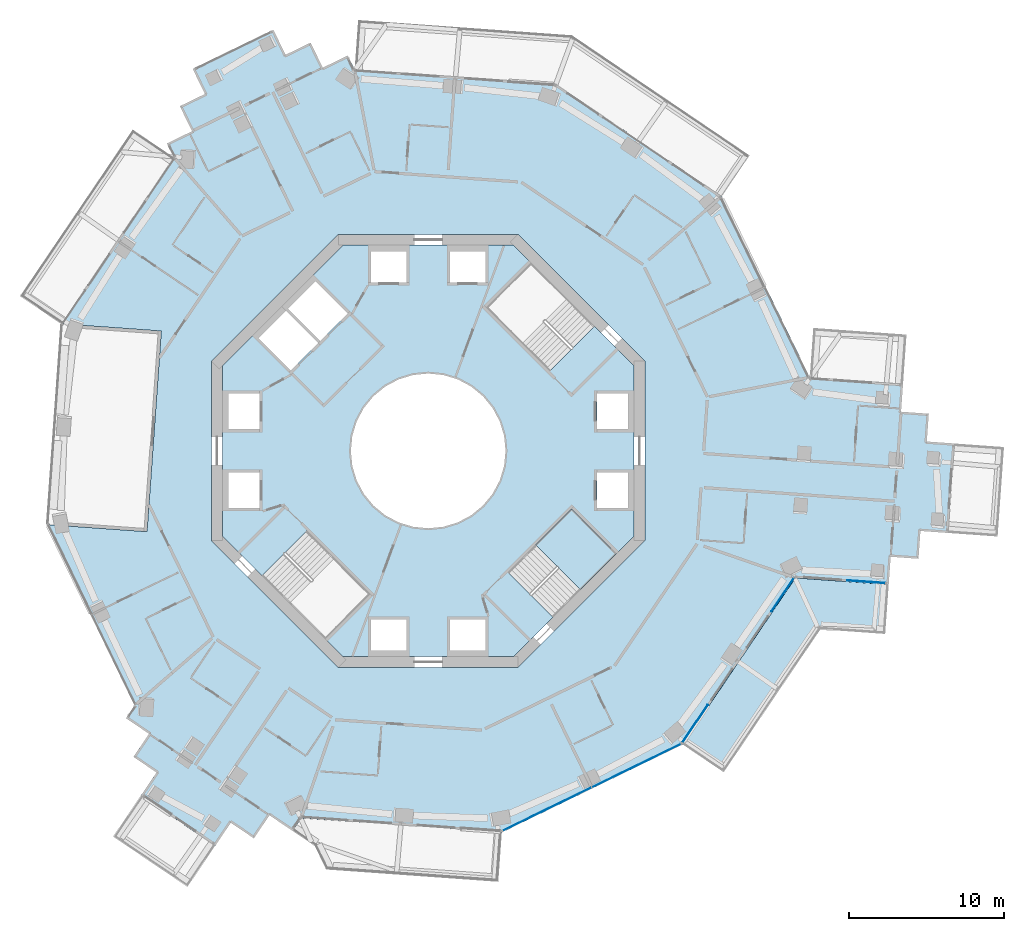
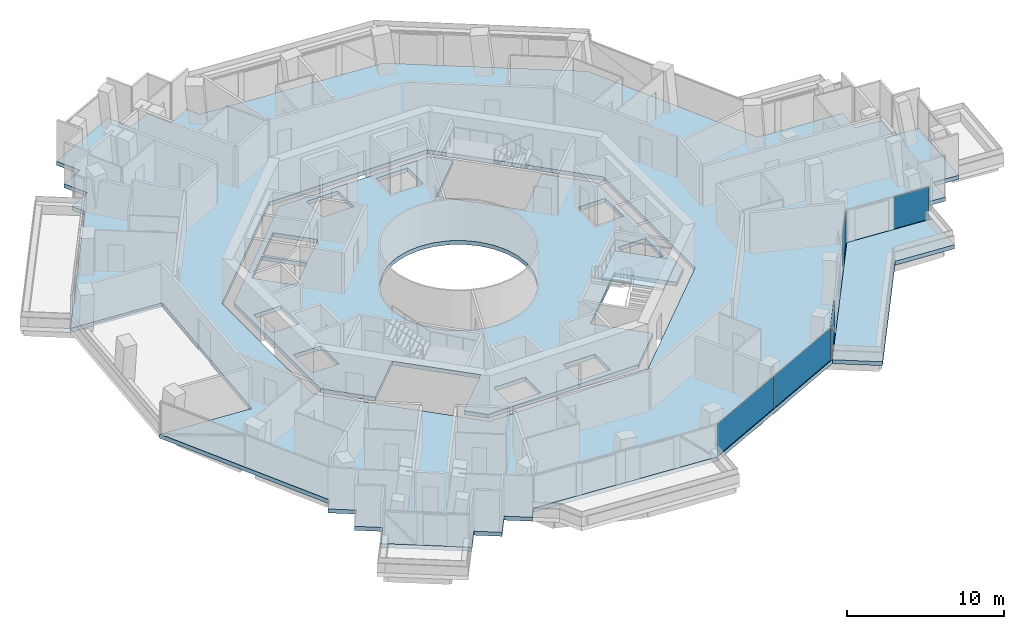
# One storey, part 11 of 22: 6 plates, 4 slabs, 4 elements without a shape of their own.
"""IFC4 building model written with IfcOpenShell, lengths in metres."""

from ifc_helpers import new_model, si_unit, direction, frame, origin, origin_2d, place, context, subcontext, project, spatial, polyline, rectangle, outline, extrude, material, layer, layer_set, type_object, element, aggregate, save


model = new_model("IFC4")

# Units and contexts
model_context = context("Model", 3, precision=1e-05, world=origin(), true_north=direction((0.0, 1.0)))
body_context = subcontext(model_context, "Body", "Model", "MODEL_VIEW")
ifc_project = project(units=[si_unit("LENGTHUNIT", "METRE"), si_unit("AREAUNIT", "SQUARE_METRE"), si_unit("VOLUMEUNIT", "CUBIC_METRE"), si_unit("PLANEANGLEUNIT", "RADIAN"), si_unit("MASSUNIT", "GRAM", prefix="KILO")], contexts=[model_context])

# Site, building, storey
site_placement = place(None, origin())
site = spatial("IfcSite", under=ifc_project, at=site_placement, CompositionType="ELEMENT")
building_placement = place(site_placement, origin())
building = spatial("IfcBuilding", under=site, at=building_placement, Name="Verdalira Terraces Hotel", CompositionType="ELEMENT")
storey_placement = place(building_placement, frame((0.0, 0.0, 140.0)))
storey = spatial("IfcBuildingStorey", under=building, at=storey_placement, Name="L33", CompositionType="ELEMENT", Elevation=140.0)

# Slab
ifc_material_1 = material(Name="Precast concrete C40/50", Category="concrete")
ifc_layer_1 = layer(ifc_material_1, 0.31005859375)
ifc_layer_set_1 = layer_set([ifc_layer_1], Name="Balcony deck 310")
slab_type_1 = type_object("IfcSlabType", Name="Balcony deck 310", PredefinedType="FLOOR", material=ifc_layer_set_1)
slab_1_placement = place(storey_placement, frame((0.0, 0.0, -0.310059)))
element("IfcSlab", 1, at=slab_1_placement, inside=storey, type_object=slab_type_1, Name="Balcony deck", PredefinedType="FLOOR", context=body_context, shape_type="SweptSolid", body=[
    extrude(outline(polyline([(29.536865, -11.831543), (29.764648, -8.639648), (23.734375, -8.209473), (16.449951, -18.976807), (19.100342, -20.77002), (25.349609, -11.532715), (29.536865, -11.831543)])), origin(), (0.0, 0.0, 1.0), 0.310059),
])

# Curtain wall, plates
ifc_material_2 = material(Name="Clear glass", Category="glass")
ifc_layer_2 = layer(ifc_material_2, 0.14990234375)
ifc_layer_set_2 = layer_set([ifc_layer_2], Name="CW1 curtain wall")
curtain_wall_type_1 = type_object("IfcCurtainWallType", Name="CW1 curtain wall", PredefinedType="NOTDEFINED", material=ifc_layer_set_2)
curtain_wall_1_placement = place(storey_placement, origin())
curtain_wall_1 = element("IfcCurtainWall", 2, at=curtain_wall_1_placement, inside=storey, type_object=curtain_wall_type_1, Name="CW1 curtain wall L33 edge 26", PredefinedType="NOTDEFINED")
ifc_material_3 = material(Name="Clear glass", Category="glass")
ifc_layer_3 = layer(ifc_material_3, 0.028076171875)
ifc_layer_set_3 = layer_set([ifc_layer_3], Name="CW1 glass unit 28")
plate_type_1 = type_object("IfcPlateType", Name="CW1 glass unit 28", PredefinedType="CURTAIN_PANEL", material=ifc_layer_set_3)
plate_1_placement = place(storey_placement, frame((7.679443, -23.156006, 0.0), z_axis=(0.0, 0.0, 1.0), x_axis=(0.899405252, 0.437115767, 0.0)))
plate_1 = element("IfcPlate", 3, at=plate_1_placement, type_object=plate_type_1, Name="CW1 glass unit", PredefinedType="CURTAIN_PANEL", context=body_context, shape_type="SweptSolid", body=[
    extrude(rectangle(XDim=6.369873, YDim=0.028076, at=origin_2d()), origin(), (0.0, 0.0, 1.0), 2.475098),
])
plate_2_placement = place(storey_placement, frame((13.462402, -20.345215, 0.0), z_axis=(0.0, 0.0, 1.0), x_axis=(0.899405252, 0.437115767, 0.0)))
plate_2 = element("IfcPlate", 4, at=plate_2_placement, type_object=plate_type_1, Name="CW1 glass unit", PredefinedType="CURTAIN_PANEL", context=body_context, shape_type="SweptSolid", body=[
    extrude(rectangle(XDim=6.369873, YDim=0.028076, at=origin_2d()), origin(), (0.0, 0.0, 1.0), 2.475098),
])
aggregate(curtain_wall_1, [plate_1, plate_2])

curtain_wall_2_placement = place(storey_placement, origin())
curtain_wall_2 = element("IfcCurtainWall", 5, at=curtain_wall_2_placement, inside=storey, type_object=curtain_wall_type_1, Name="CW1 curtain wall L33 edge 27", PredefinedType="NOTDEFINED")
plate_3_placement = place(storey_placement, frame((17.251709, -17.632812, 1.237549), z_axis=(0.828255984, -0.560349913, 0.0), x_axis=(0.560349913, 0.828255984, 0.0)))
plate_3 = element("IfcPlate", 6, at=plate_3_placement, type_object=plate_type_1, Name="CW1 glass unit", PredefinedType="CURTAIN_PANEL", context=body_context, shape_type="SweptSolid", body=[
    extrude(outline(polyline([(-1.462402, -1.237549), (1.462402, -1.237549), (-1.462402, 1.237549), (-1.462402, -1.237549)])), origin(), (0.0, 0.0, 1.0), 0.028076),
])
plate_4_placement = place(storey_placement, frame((17.227783, -17.616455, 1.237549), z_axis=(0.828255984, -0.560349913, 0.0), x_axis=(0.560349913, 0.828255984, 0.0)))
plate_4 = element("IfcPlate", 7, at=plate_4_placement, type_object=plate_type_1, Name="CW1 glass unit", PredefinedType="CURTAIN_PANEL", context=body_context, shape_type="SweptSolid", body=[
    extrude(outline(polyline([(1.462402, -1.237549), (1.462402, 1.237549), (-1.462402, 1.237549), (1.462402, -1.237549)])), origin(), (0.0, 0.0, 1.0), 0.028076),
])
plate_5_placement = place(storey_placement, frame((22.908936, -9.295654, 0.0), z_axis=(0.0, 0.0, 1.0), x_axis=(0.560349913, 0.828255984, 0.0)))
plate_5 = element("IfcPlate", 8, at=plate_5_placement, type_object=plate_type_1, Name="CW1 glass unit", PredefinedType="CURTAIN_PANEL", context=body_context, shape_type="SweptSolid", body=[
    extrude(rectangle(XDim=2.604492, YDim=0.028076, at=origin_2d()), origin(), (0.0, 0.0, 1.0), 2.475098),
])
aggregate(curtain_wall_2, [plate_3, plate_4, plate_5])

# Curtain wall, plate
ifc_material_4 = material(Name="Clear glass", Category="glass")
ifc_layer_4 = layer(ifc_material_4, 0.14990234375)
ifc_layer_set_4 = layer_set([ifc_layer_4], Name="CW2 curtain wall")
curtain_wall_type_2 = type_object("IfcCurtainWallType", Name="CW2 curtain wall", PredefinedType="NOTDEFINED", material=ifc_layer_set_4)
curtain_wall_3_placement = place(storey_placement, origin())
curtain_wall_3 = element("IfcCurtainWall", 9, at=curtain_wall_3_placement, inside=storey, type_object=curtain_wall_type_2, Name="CW2 curtain wall L33 edge 28", PredefinedType="NOTDEFINED")
ifc_material_5 = material(Name="Clear glass", Category="glass")
ifc_layer_5 = layer(ifc_material_5, 0.031982421875)
ifc_layer_set_5 = layer_set([ifc_layer_5], Name="CW2 glass unit 32")
plate_type_2 = type_object("IfcPlateType", Name="CW2 glass unit 32", PredefinedType="CURTAIN_PANEL", material=ifc_layer_set_5)
plate_6_placement = place(storey_placement, frame((28.32251, -8.46167, 0.0), z_axis=(0.0, 0.0, 1.0), x_axis=(0.997465679, -0.071149267, 0.0)))
plate_6 = element("IfcPlate", 10, at=plate_6_placement, type_object=plate_type_2, Name="CW2 glass unit", PredefinedType="CURTAIN_PANEL", context=body_context, shape_type="SweptSolid", body=[
    extrude(rectangle(XDim=2.461914, YDim=0.031982, at=origin_2d()), origin(), (0.0, 0.0, 1.0), 2.475098),
])
aggregate(curtain_wall_3, [plate_6])

# Slab
ifc_material_6 = material(Name="Concrete C40", Category="concrete")
ifc_layer_6 = layer(ifc_material_6, 0.31005859375)
ifc_layer_set_6 = layer_set([ifc_layer_6], Name="Core floor slab 310 mm")
slab_type_2 = type_object("IfcSlabType", Name="Core floor slab 310 mm", PredefinedType="FLOOR", material=ifc_layer_set_6)
slab_2_placement = place(storey_placement, frame((0.0, 0.0, -0.310059)))
element("IfcSlab", 11, at=slab_2_placement, inside=storey, type_object=slab_type_2, Name="L33 core floor", PredefinedType="FLOOR", context=body_context, shape_type="SweptSolid", body=[
    extrude(outline(polyline([(-5.509033, 13.300049), (5.509033, 13.300049), (6.632812, 12.176514), (3.719482, 9.263184), (7.834473, 5.148193), (10.747803, 8.061279), (13.300049, 5.509033), (13.300049, -5.509033), (12.176514, -6.632812), (9.263184, -3.719482), (5.148193, -7.834473), (8.061279, -10.747803), (5.509033, -13.300049), (-5.509033, -13.300049), (-6.632812, -12.176514), (-3.719482, -9.263184), (-7.834473, -5.148193), (-10.747803, -8.061279), (-13.300049, -5.509033), (-13.300049, 5.509033), (-5.509033, 13.300049)]), holes=[polyline([(12.899902, -3.699951), (12.899902, -1.399902), (10.899902, -1.399902), (10.899902, -3.699951), (12.899902, -3.699951)]), polyline([(12.899902, 1.399902), (12.899902, 3.699951), (10.899902, 3.699951), (10.899902, 1.399902), (12.899902, 1.399902)]), polyline([(1.399902, 10.899902), (3.699951, 10.899902), (3.699951, 12.899902), (1.399902, 12.899902), (1.399902, 10.899902)]), polyline([(-3.699951, 10.899902), (-1.399902, 10.899902), (-1.399902, 12.899902), (-3.699951, 12.899902), (-3.699951, 10.899902)]), polyline([(-12.899902, 3.699951), (-12.899902, 1.399902), (-10.899902, 1.399902), (-10.899902, 3.699951), (-12.899902, 3.699951)]), polyline([(-12.899902, -1.399902), (-12.899902, -3.699951), (-10.899902, -3.699951), (-10.899902, -1.399902), (-12.899902, -1.399902)]), polyline([(-1.399902, -10.899902), (-3.699951, -10.899902), (-3.699951, -12.899902), (-1.399902, -12.899902), (-1.399902, -10.899902)]), polyline([(3.699951, -10.899902), (1.399902, -10.899902), (1.399902, -12.899902), (3.699951, -12.899902), (3.699951, -10.899902)]), polyline([(-9.051025, 9.192383), (-6.965088, 7.106445), (-5.197266, 8.874268), (-7.283203, 10.960205), (-9.051025, 9.192383)]), polyline([(-9.192383, 9.051025), (-10.960205, 7.283203), (-8.874268, 5.197266), (-7.106445, 6.965088), (-9.192383, 9.051025)]), polyline([(3.5354, 3.5354), (2.777832, 4.157227), (1.91333, 4.619385), (0.975586, 4.903809), (0.0, 5.0), (-0.975586, 4.903809), (-1.91333, 4.619385), (-2.777832, 4.157227), (-3.5354, 3.5354), (-4.157227, 2.777832), (-4.619385, 1.91333), (-4.903809, 0.975586), (-5.0, 0.0), (-4.903809, -0.975586), (-4.619385, -1.91333), (-4.157227, -2.777832), (-3.5354, -3.5354), (-2.777832, -4.157227), (-1.91333, -4.619385), (-0.975586, -4.903809), (0.0, -5.0), (0.975586, -4.903809), (1.91333, -4.619385), (2.777832, -4.157227), (3.5354, -3.5354), (4.157227, -2.777832), (4.619385, -1.91333), (4.903809, -0.975586), (5.0, 0.0), (4.903809, 0.975586), (4.619385, 1.91333), (4.157227, 2.777832), (3.5354, 3.5354)])]), origin(), (0.0, 0.0, 1.0), 0.310059),
])

# Stair, slab
ifc_material_7 = material(Name="Concrete C40", Category="concrete")
stair_type = type_object("IfcStairType", Name="Core stair 20 risers 2000 mm wide", PredefinedType="HALF_TURN_STAIR", material=ifc_material_7)
stair_placement = place(storey_placement, origin())
stair = element("IfcStair", 12, at=stair_placement, inside=storey, type_object=stair_type, Name="L33 Exit stair ST3", PredefinedType="HALF_TURN_STAIR")
ifc_material_8 = material(Name="Concrete C40", Category="concrete")
ifc_layer_7 = layer(ifc_material_8, 0.199951171875)
ifc_layer_set_7 = layer_set([ifc_layer_7], Name="Core stair landing 200 mm")
slab_type_3 = type_object("IfcSlabType", Name="Core stair landing 200 mm", PredefinedType="LANDING", material=ifc_layer_set_7)
slab_3_placement = place(storey_placement, frame((0.0, 0.0, 1.550049)))
slab_3 = element("IfcSlab", 13, at=slab_3_placement, type_object=slab_type_3, Name="ST3 landing 1", PredefinedType="LANDING", context=body_context, shape_type="SweptSolid", body=[
    extrude(outline(polyline([(9.842529, -8.966553), (12.162354, -6.646729), (9.263184, -3.747559), (6.943359, -6.067383), (9.842529, -8.966553)])), origin(), (0.0, 0.0, 1.0), 0.199951),
])
aggregate(stair, [slab_3])

# Slab
ifc_material_9 = material(Name="Concrete C40", Category="concrete")
ifc_layer_8 = layer(ifc_material_9, 0.31005859375)
ifc_layer_set_8 = layer_set([ifc_layer_8], Name="Floor slab 310 C40")
slab_type_4 = type_object("IfcSlabType", Name="Floor slab 310 C40", PredefinedType="FLOOR", material=ifc_layer_set_8)
slab_4_placement = place(storey_placement, frame((0.0, 0.0, -0.310059)))
element("IfcSlab", 14, at=slab_4_placement, inside=storey, type_object=slab_type_4, Name="Floor slab L33", PredefinedType="FLOOR", context=body_context, shape_type="SweptSolid", body=[
    extrude(outline(polyline([(-16.886963, 19.876221), (-16.449707, 18.976807), (-23.734131, 8.209961), (-17.250244, 7.747559), (-18.175293, -5.220703), (-24.65918, -4.758057), (-18.976807, -16.449707), (-19.537109, -17.278076), (-18.046387, -18.286621), (-19.054932, -19.777588), (-17.564209, -20.786133), (-18.572754, -22.2771), (-13.768799, -25.5271), (-12.760254, -24.036133), (-11.269287, -25.044922), (-10.260742, -23.553955), (-8.769775, -24.5625), (-8.209473, -23.734375), (4.757568, -24.65918), (16.449707, -18.976807), (23.734375, -8.209473), (29.764404, -8.639648), (29.892578, -6.844238), (31.687988, -6.972412), (31.816162, -5.176758), (33.611572, -5.304932), (34.02417, 0.480469), (32.22876, 0.608398), (32.356689, 2.403809), (30.561279, 2.531982), (30.689453, 4.327393), (24.65918, 4.757568), (18.976807, 16.449707), (8.209473, 23.734375), (-4.757568, 24.65918), (-5.19458, 25.558594), (-6.813721, 24.771973), (-7.600342, 26.390869), (-9.219238, 25.604004), (-10.006104, 27.2229), (-15.222656, 24.687744), (-14.435791, 23.068848), (-16.054688, 22.281982), (-15.268066, 20.663086), (-16.886963, 19.876221)]), holes=[polyline([(5.799072, 14.0), (14.0, 5.799072), (14.0, -5.799072), (5.799072, -14.0), (-5.799072, -14.0), (-14.0, -5.799072), (-14.0, 5.799072), (-5.799072, 14.0), (5.799072, 14.0)])]), origin(), (0.0, 0.0, 1.0), 0.310059),
])

save(model, "model.ifc")
